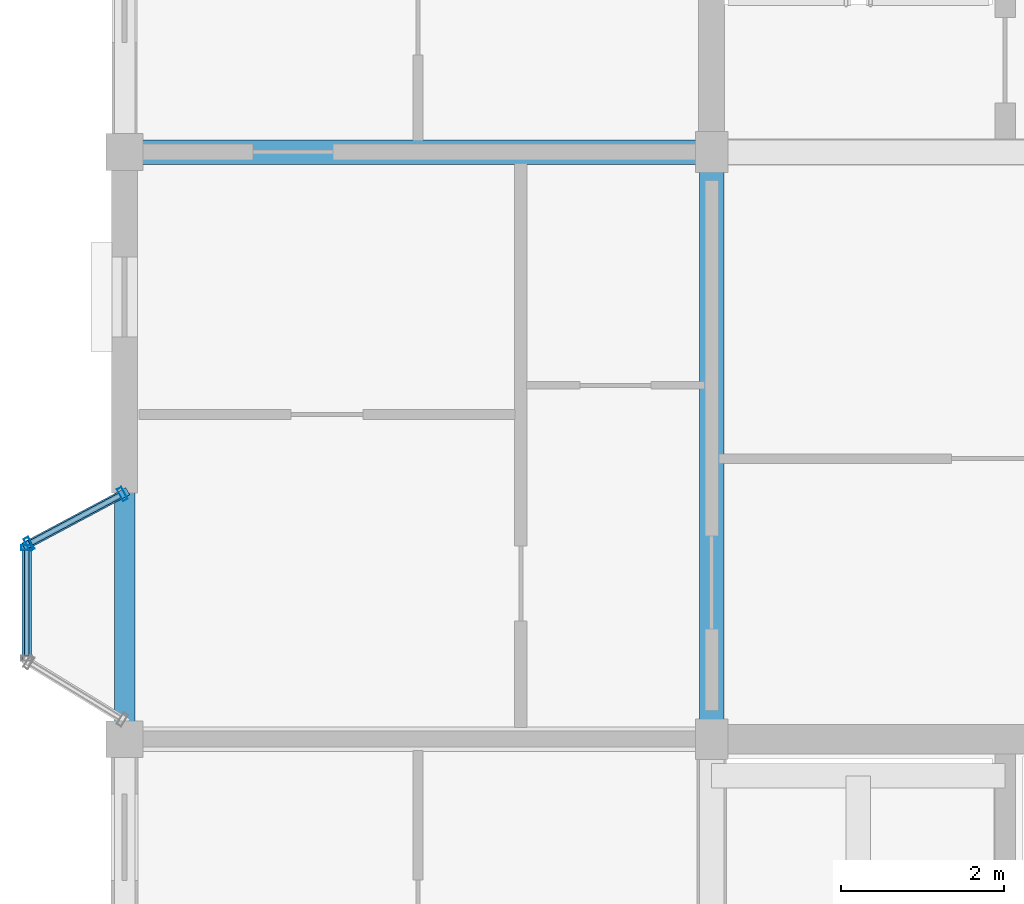
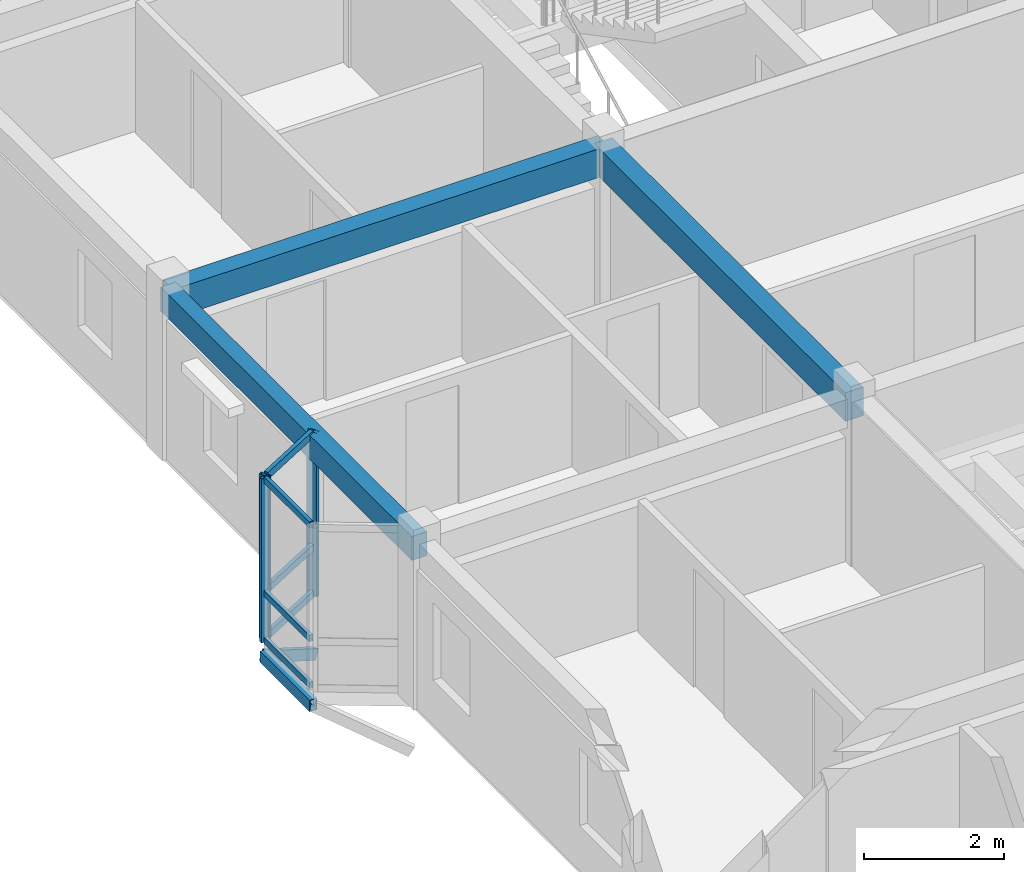
# One storey, part 8 of 23: 11 members, 3 beams, 2 elements without a shape of their own.
"""IFC4 building model written with IfcOpenShell, lengths in metres."""

import ifcopenshell
import ifcopenshell.guid

model = None  # the IFC model being written
_history = None  # IfcOwnerHistory: only IFC2X3 demands one
_inside = {}  # id of a spatial element -> (the spatial element, [elements in it])
_under = {}  # id of a project, library or spatial element -> (it, [spatial elements below it])
_declared = {}  # id of a project -> (the project, [libraries it declares])
_typed = {}  # id of a type object -> (the type object, [elements of that type])
_made_of = {}  # id of a material, layer set ... -> (it, [elements and type objects made of it])


def new_model(schema):
    """Start an empty IFC model of exactly this schema.

    Asked for "IFC4X3", IfcOpenShell would pick the latest addendum, in which some entities
    have other attributes; the version numbers below select the first issue.
    IFC2X3 requires an IfcOwnerHistory on every rooted entity: one is made here for all.
    """
    global model, _history
    if schema == "IFC4X3":
        model = ifcopenshell.file(schema_version=(4, 3, 0, 0))
    else:
        model = ifcopenshell.file(schema=schema)
    _inside.clear()
    _under.clear()
    _declared.clear()
    _typed.clear()
    _made_of.clear()
    _history = None
    if model.schema == "IFC2X3":
        org = make("IfcOrganization", Name="unknown")
        user = make(
            "IfcPersonAndOrganization",
            ThePerson=make("IfcPerson", FamilyName="unknown"),
            TheOrganization=org,
        )
        app = make(
            "IfcApplication",
            ApplicationDeveloper=org,
            Version="unknown",
            ApplicationFullName="unknown",
            ApplicationIdentifier="unknown",
        )
        _history = make(
            "IfcOwnerHistory",
            OwningUser=user,
            OwningApplication=app,
            ChangeAction="ADDED",
            CreationDate=0,
        )
    return model


def make(cls, **values):
    """One entity of the class cls with the attributes given. An attribute that is None is left unset."""
    return model.create_entity(
        cls, **{name: value for name, value in values.items() if value is not None}
    )


def rooted(cls, **values):
    """An entity with a GlobalId (a new one), such as an element, a storey or a relation."""
    return make(cls, GlobalId=ifcopenshell.guid.new(), OwnerHistory=_history, **values)


def si_unit(unit_type, name, prefix=None):
    """IfcSIUnit, for example si_unit("LENGTHUNIT", "METRE", prefix="MILLI")."""
    return make("IfcSIUnit", UnitType=unit_type, Prefix=prefix, Name=name)


def assignment(units):
    """IfcUnitAssignment: the units of a project."""
    return None if units is None else make("IfcUnitAssignment", Units=units)


def point(xyz):
    """IfcCartesianPoint."""
    return None if xyz is None else make("IfcCartesianPoint", Coordinates=xyz)


def direction(xyz):
    """IfcDirection."""
    return None if xyz is None else make("IfcDirection", DirectionRatios=xyz)


def frame(location, z_axis=None, x_axis=None):
    """IfcAxis2Placement3D, a coordinate frame: its origin and axes. An axis left out is left unset."""
    return make(
        "IfcAxis2Placement3D",
        Location=point(location),
        Axis=direction(z_axis),
        RefDirection=direction(x_axis),
    )


def frame_2d(location, x_axis=None):
    """IfcAxis2Placement2D, a coordinate frame in the plane: its origin and x axis."""
    return make(
        "IfcAxis2Placement2D", Location=point(location), RefDirection=direction(x_axis)
    )


def origin():
    """The frame at (0, 0, 0) with its axes left unset."""
    return frame((0.0, 0.0, 0.0))


def origin_2d():
    """The frame at (0, 0) in the plane with its x axis left unset."""
    return frame_2d((0.0, 0.0))


def place(relative_to, where):
    """IfcLocalPlacement: puts the frame where relative to a parent placement (None: the world)."""
    return make(
        "IfcLocalPlacement", PlacementRelTo=relative_to, RelativePlacement=where
    )


def context(
    kind, dimensions, precision=None, world=None, true_north=None, identifier=None
):
    """IfcGeometricRepresentationContext, for example the 3D "Model" context."""
    return make(
        "IfcGeometricRepresentationContext",
        ContextIdentifier=identifier,
        ContextType=kind,
        CoordinateSpaceDimension=dimensions,
        Precision=precision,
        WorldCoordinateSystem=world,
        TrueNorth=true_north,
    )


def subcontext(parent, identifier, kind, view, scale=None):
    """IfcGeometricRepresentationSubContext, for example "Body" below "Model"."""
    return make(
        "IfcGeometricRepresentationSubContext",
        ContextIdentifier=identifier,
        ContextType=kind,
        ParentContext=parent,
        TargetScale=scale,
        TargetView=view,
    )


def project(units=None, contexts=None):
    """IfcProject with its units and contexts."""
    return rooted(
        "IfcProject",
        Name="project",
        RepresentationContexts=contexts,
        UnitsInContext=assignment(units),
    )


def spatial(cls, under=None, at=None, **own):
    """A site, building, storey or space (cls), placed at a placement, below another one or the project."""
    s = rooted(cls, ObjectPlacement=at, **own)
    if under is not None:
        _under.setdefault(under.id(), (under, []))[1].append(s)
    return s


def profile(cls, at=None, kind="AREA", **sizes):
    """A parametric profile (cls). Its sizes go by their IFC names, for example OverallWidth=200.0."""
    return make(cls, ProfileType=kind, Position=at, **sizes)


def rectangle(**sizes):
    """IfcRectangleProfileDef."""
    return profile("IfcRectangleProfileDef", **sizes)


def hollow_rectangle(**sizes):
    """IfcRectangleHollowProfileDef."""
    return profile("IfcRectangleHollowProfileDef", **sizes)


def extrude(swept, where, along, depth):
    """IfcExtrudedAreaSolid: the profile swept, set in the frame where, extruded along a direction by depth."""
    return make(
        "IfcExtrudedAreaSolid",
        SweptArea=swept,
        Position=where,
        ExtrudedDirection=direction(along),
        Depth=depth,
    )


def shape(context_of_items, identifier, shape_type, items):
    """IfcShapeRepresentation: the items that make up one representation, for example the "Body"."""
    return make(
        "IfcShapeRepresentation",
        ContextOfItems=context_of_items,
        RepresentationIdentifier=identifier,
        RepresentationType=shape_type,
        Items=items,
    )


def material(Name=None, Category=None):
    """IfcMaterial."""
    return make("IfcMaterial", Name=Name, Category=Category)


def layer(
    of_material, thickness, ventilated=None, Name=None, Category=None, Priority=None
):
    """IfcMaterialLayer: one layer of a wall or slab, of a material (None: an air gap)."""
    return make(
        "IfcMaterialLayer",
        Material=of_material,
        LayerThickness=thickness,
        IsVentilated=ventilated,
        Name=Name,
        Category=Category,
        Priority=Priority,
    )


def layer_set(layers, Name=None):
    """IfcMaterialLayerSet."""
    return make("IfcMaterialLayerSet", MaterialLayers=layers, LayerSetName=Name)


def material_profile(
    of_material, cross_section, Name=None, Category=None, Priority=None
):
    """IfcMaterialProfile: a cross section and its material."""
    return make(
        "IfcMaterialProfile",
        Name=Name,
        Material=of_material,
        Profile=cross_section,
        Priority=Priority,
        Category=Category,
    )


def profile_set(profiles, Name=None, composite=None):
    """IfcMaterialProfileSet."""
    return make(
        "IfcMaterialProfileSet",
        Name=Name,
        MaterialProfiles=profiles,
        CompositeProfile=composite,
    )


def made_of(thing, what):
    """Note that an element or type object is made of a material, layer set ...; save() writes the relation."""
    if what is not None:
        _made_of.setdefault(what.id(), (what, []))[1].append(thing)
    return thing


def type_object(cls, material=None, **own):
    """A type object (cls), such as IfcWallType, which elements share."""
    return made_of(rooted(cls, **own), material)


def element(
    cls,
    number,
    at=None,
    inside=None,
    cuts=None,
    type_object=None,
    material=None,
    context=None,
    identifier="Body",
    shape_type=None,
    held_by="IfcProductDefinitionShape",
    body=None,
    shapes=None,
    **own,
):
    """One element of the class cls, such as IfcWall. Its Tag is "e" and its number.

    at: its placement. inside: the storey or other place that contains it. cuts: it is an
    opening in that element (IfcRelVoidsElement). A single representation is given by context,
    identifier, shape_type and body (its items); several are given by shapes. held_by: the class
    of the entity that holds the representations. save() writes the other relations.
    """
    e = rooted(cls, Tag="e%d" % number, ObjectPlacement=at, **own)
    if body is not None:
        shapes = [shape(context, identifier, shape_type, body)]
    if shapes is not None:
        e.Representation = make(held_by, Representations=shapes)
    if inside is not None:
        _inside.setdefault(inside.id(), (inside, []))[1].append(e)
    if cuts is not None:
        rooted(
            "IfcRelVoidsElement", RelatingBuildingElement=cuts, RelatedOpeningElement=e
        )
    if type_object is not None:
        _typed.setdefault(type_object.id(), (type_object, []))[1].append(e)
    return made_of(e, material)


def aggregate(whole, parts):
    """IfcRelAggregates: a whole, such as a stair, and the parts it consists of."""
    return rooted("IfcRelAggregates", RelatingObject=whole, RelatedObjects=parts)


def save(model, path):
    """Write the relations noted so far, then the file.

    IfcRelAggregates (storeys below a building ...), IfcRelContainedInSpatialStructure (elements
    in a storey), IfcRelDefinesByType, IfcRelAssociatesMaterial and IfcRelDeclares: one each for
    every whole, place, type object, material and project.
    """
    for whole, parts in _under.values():
        aggregate(whole, parts)
    for where, things in _inside.values():
        rooted(
            "IfcRelContainedInSpatialStructure",
            RelatedElements=things,
            RelatingStructure=where,
        )
    for kind, things in _typed.values():
        rooted("IfcRelDefinesByType", RelatedObjects=things, RelatingType=kind)
    for what, things in _made_of.values():
        rooted("IfcRelAssociatesMaterial", RelatedObjects=things, RelatingMaterial=what)
    for by, libraries in _declared.values():
        rooted("IfcRelDeclares", RelatingContext=by, RelatedDefinitions=libraries)
    model.write(path)


model = new_model("IFC4")

# Units and contexts
model_context = context("Model", 3, precision=1e-05, world=origin(), true_north=direction((0.0, 1.0)))
body_context = subcontext(model_context, "Body", "Model", "MODEL_VIEW")
ifc_project = project(units=[si_unit("LENGTHUNIT", "METRE"), si_unit("AREAUNIT", "SQUARE_METRE"), si_unit("VOLUMEUNIT", "CUBIC_METRE"), si_unit("PLANEANGLEUNIT", "RADIAN"), si_unit("MASSUNIT", "GRAM", prefix="KILO"), si_unit("THERMODYNAMICTEMPERATUREUNIT", "KELVIN"), si_unit("POWERUNIT", "WATT")], contexts=[model_context])

# Site, building, storey
site_placement = place(None, origin())
site = spatial("IfcSite", under=ifc_project, at=site_placement, CompositionType="ELEMENT")
building_placement = place(site_placement, origin())
building = spatial("IfcBuilding", under=site, at=building_placement, Name="Tavuni Mirador Residences", CompositionType="ELEMENT")
storey_placement = place(building_placement, frame((0.0, 0.0, 42.300048828125)))
storey = spatial("IfcBuildingStorey", under=building, at=storey_placement, Name="L13", CompositionType="ELEMENT", Elevation=42.300048828125)

# Beams
ifc_material_1 = material(Name="Precast concrete C40/50", Category="concrete")
ifc_material_profile_1 = material_profile(ifc_material_1, rectangle(XDim=0.300048828125, YDim=0.5, at=origin_2d()), Name="PC 300x500", Category="concrete")
ifc_profile_set_1 = profile_set([ifc_material_profile_1], Name="Precast concrete C40/50")
beam_type_1 = type_object("IfcBeamType", Name="BT-B500", PredefinedType="BEAM", material=ifc_profile_set_1)
for number, where, z_axis, x_axis, name in (
    (1, (3.60009765625, 28.800048828125, 2.619873046875), (1.0, 0.0, 0.0), (0.0, 1.0, 0.0), "BMX-BLK-A-L13-00-03"),
    (2, (10.800048828125, 21.60009765625, 2.619873046875), (0.0, 1.0, 0.0), (-1.0, 0.0, 0.0), "BMY-BLK-A-L13-01-02"),
):
    element("IfcBeam", number, at=place(storey_placement, frame(where, z_axis=z_axis, x_axis=x_axis)), inside=storey, type_object=beam_type_1, Name=name, PredefinedType="BEAM", context=body_context, shape_type="SweptSolid", body=[
        extrude(rectangle(XDim=0.300048828125, YDim=0.5, at=origin_2d()), origin(), (0.0, 0.0, 1.0), 7.199951171875),
    ])
ifc_material_profile_2 = material_profile(ifc_material_1, rectangle(XDim=0.25, YDim=0.419921875, at=origin_2d()), Name="PC 250x420", Category="concrete")
ifc_profile_set_2 = profile_set([ifc_material_profile_2], Name="Precast concrete C40/50")
beam_type_2 = type_object("IfcBeamType", Name="BT-SP420", PredefinedType="SPANDREL", material=ifc_profile_set_2)
beam_placement = place(storey_placement, frame((3.60009765625, 21.60009765625, 2.659912109375), z_axis=(0.0, 1.0, 0.0), x_axis=(-1.0, 0.0, 0.0)))
element("IfcBeam", 3, at=beam_placement, inside=storey, type_object=beam_type_2, Name="BMY-BLK-A-L13-00-02", PredefinedType="SPANDREL", context=body_context, shape_type="SweptSolid", body=[
    extrude(rectangle(XDim=0.25, YDim=0.419921875, at=origin_2d()), origin(), (0.0, 0.0, 1.0), 7.199951171875),
])

# Curtain wall, member
ifc_material_2 = material(Name="Anodised aluminium", Category="aluminium")
ifc_layer_1 = layer(ifc_material_2, 0.175048828125, Name="Anodised aluminium", Category="aluminium")
ifc_layer_set_1 = layer_set([ifc_layer_1], Name="Anodised aluminium")
curtain_wall_type_1 = type_object("IfcCurtainWallType", Name="CWT-MIR-C", PredefinedType="NOTDEFINED", material=ifc_layer_set_1)
curtain_wall_1_placement = place(storey_placement, origin())
curtain_wall_1 = element("IfcCurtainWall", 4, at=curtain_wall_1_placement, inside=storey, type_object=curtain_wall_type_1, Name="CW-MIR-A-W2-L13-MF", PredefinedType="NOTDEFINED")
ifc_material_profile_3 = material_profile(ifc_material_2, hollow_rectangle(XDim=0.06005859375, YDim=0.139892578125, WallThickness=0.00390625, at=origin_2d()), Name="ALU 60x140x4.0", Category="aluminium")
ifc_profile_set_3 = profile_set([ifc_material_profile_3], Name="Anodised aluminium")
member_type_1 = type_object("IfcMemberType", Name="CWM-140", PredefinedType="MULLION", material=ifc_profile_set_3)
member_1_placement = place(storey_placement, frame((2.39990234375, 23.949951171875, 0.0), z_axis=(0.0, 0.0, 1.0), x_axis=(0.0, -1.0, 0.0)))
member_1 = element("IfcMember", 5, at=member_1_placement, type_object=member_type_1, Name="CW-03 mullion 1", PredefinedType="MULLION", context=body_context, shape_type="SweptSolid", body=[
    extrude(hollow_rectangle(XDim=0.06005859375, YDim=0.139892578125, WallThickness=0.00390625, at=origin_2d()), origin(), (0.0, 0.0, 1.0), 2.869873046875),
])

# Curtain wall, members
ifc_layer_2 = layer(ifc_material_2, 0.14990234375, Name="Anodised aluminium", Category="aluminium")
ifc_layer_set_2 = layer_set([ifc_layer_2], Name="Anodised aluminium")
curtain_wall_type_2 = type_object("IfcCurtainWallType", Name="CWT-MIR-B", PredefinedType="NOTDEFINED", material=ifc_layer_set_2)
curtain_wall_2_placement = place(storey_placement, origin())
curtain_wall_2 = element("IfcCurtainWall", 6, at=curtain_wall_2_placement, inside=storey, type_object=curtain_wall_type_2, Name="CW-MIR-A-W2-L13-M1", PredefinedType="NOTDEFINED")
ifc_material_profile_4 = material_profile(ifc_material_2, hollow_rectangle(XDim=0.06494140625, YDim=0.1650390625, WallThickness=0.00439453125, at=origin_2d()), Name="ALU 65x165x4.5", Category="aluminium")
ifc_profile_set_4 = profile_set([ifc_material_profile_4], Name="Anodised aluminium")
member_type_2 = type_object("IfcMemberType", Name="CWM-165", PredefinedType="MULLION", material=ifc_profile_set_4)
member_2_placement = place(storey_placement, frame((3.5712890625, 24.604736328125, 0.0), z_axis=(0.0, 0.0, 1.0), x_axis=(-0.882352941175, -0.470588235296, 0.0)))
member_2 = element("IfcMember", 7, at=member_2_placement, type_object=member_type_2, Name="CW-02 mullion 1", PredefinedType="MULLION", context=body_context, shape_type="SweptSolid", body=[
    extrude(hollow_rectangle(XDim=0.06494140625, YDim=0.1650390625, WallThickness=0.00439453125, at=origin_2d()), origin(), (0.0, 0.0, 1.0), 2.869873046875),
])
member_3_placement = place(storey_placement, frame((2.4287109375, 23.995361328125, 0.0), z_axis=(0.0, 0.0, 1.0), x_axis=(-0.882352941175, -0.470588235296, 0.0)))
member_3 = element("IfcMember", 8, at=member_3_placement, type_object=member_type_2, Name="CW-02 mullion 2", PredefinedType="MULLION", context=body_context, shape_type="SweptSolid", body=[
    extrude(hollow_rectangle(XDim=0.06494140625, YDim=0.1650390625, WallThickness=0.00439453125, at=origin_2d()), origin(), (0.0, 0.0, 1.0), 2.869873046875),
])

# Member
ifc_material_profile_5 = material_profile(ifc_material_2, hollow_rectangle(XDim=0.06005859375, YDim=0.110107421875, WallThickness=0.00390625, at=origin_2d()), Name="ALU 60x110x4.0", Category="aluminium")
ifc_profile_set_5 = profile_set([ifc_material_profile_5], Name="Anodised aluminium")
member_type_3 = type_object("IfcMemberType", Name="CWT-110", PredefinedType="USERDEFINED", material=ifc_profile_set_5)
member_4_placement = place(storey_placement, frame((2.39990234375, 23.919921875, 0.030029296875), z_axis=(0.0, -1.0, 0.0), x_axis=(1.0, 0.0, 0.0)))
member_4 = element("IfcMember", 9, at=member_4_placement, type_object=member_type_3, Name="CW-03 transom 1.1", ObjectType="TRANSOM", PredefinedType="USERDEFINED", context=body_context, shape_type="SweptSolid", body=[
    extrude(hollow_rectangle(XDim=0.06005859375, YDim=0.110107421875, WallThickness=0.00390625, at=origin_2d()), origin(), (0.0, 0.0, 1.0), 1.2998046875),
])

member_5_placement = place(storey_placement, frame((2.39990234375, 23.919921875, 0.849853515625), z_axis=(0.0, -1.0, 0.0), x_axis=(1.0, 0.0, 0.0)))
member_5 = element("IfcMember", 10, at=member_5_placement, type_object=member_type_3, Name="CW-03 transom 1.2", ObjectType="TRANSOM", PredefinedType="USERDEFINED", context=body_context, shape_type="SweptSolid", body=[
    extrude(hollow_rectangle(XDim=0.06005859375, YDim=0.110107421875, WallThickness=0.00390625, at=origin_2d()), origin(), (0.0, 0.0, 1.0), 1.2998046875),
])

member_6_placement = place(storey_placement, frame((2.39990234375, 23.919921875, 2.83984375), z_axis=(0.0, -1.0, 0.0), x_axis=(1.0, 0.0, 0.0)))
member_6 = element("IfcMember", 11, at=member_6_placement, type_object=member_type_3, Name="CW-03 transom 1.3", ObjectType="TRANSOM", PredefinedType="USERDEFINED", context=body_context, shape_type="SweptSolid", body=[
    extrude(hollow_rectangle(XDim=0.06005859375, YDim=0.110107421875, WallThickness=0.00390625, at=origin_2d()), origin(), (0.0, 0.0, 1.0), 1.2998046875),
])

aggregate(curtain_wall_1, [member_1, member_4, member_5, member_6])

ifc_material_profile_6 = material_profile(ifc_material_2, hollow_rectangle(XDim=0.06494140625, YDim=0.125, WallThickness=0.00439453125, at=origin_2d()), Name="ALU 65x125x4.5", Category="aluminium")
ifc_profile_set_6 = profile_set([ifc_material_profile_6], Name="Anodised aluminium")
member_type_4 = type_object("IfcMemberType", Name="CWT-125", PredefinedType="USERDEFINED", material=ifc_profile_set_6)
member_7_placement = place(storey_placement, frame((3.542724609375, 24.58935546875, 0.032470703125), z_axis=(-0.882369422046, -0.47055733236, 0.0), x_axis=(0.47055733236, -0.882369422046, 0.0)))
member_7 = element("IfcMember", 12, at=member_7_placement, type_object=member_type_4, Name="CW-02 transom 1.1", ObjectType="TRANSOM", PredefinedType="USERDEFINED", context=body_context, shape_type="SweptSolid", body=[
    extrude(hollow_rectangle(XDim=0.06494140625, YDim=0.125, WallThickness=0.00439453125, at=origin_2d()), origin(), (0.0, 0.0, 1.0), 1.230224609375),
])

member_8_placement = place(storey_placement, frame((3.542724609375, 24.58935546875, 0.849853515625), z_axis=(-0.882369422046, -0.47055733236, 0.0), x_axis=(0.47055733236, -0.882369422046, 0.0)))
member_8 = element("IfcMember", 13, at=member_8_placement, type_object=member_type_4, Name="CW-02 transom 1.2", ObjectType="TRANSOM", PredefinedType="USERDEFINED", context=body_context, shape_type="SweptSolid", body=[
    extrude(hollow_rectangle(XDim=0.06494140625, YDim=0.125, WallThickness=0.00439453125, at=origin_2d()), origin(), (0.0, 0.0, 1.0), 1.230224609375),
])

member_9_placement = place(storey_placement, frame((3.542724609375, 24.58935546875, 2.83740234375), z_axis=(-0.882369422046, -0.47055733236, 0.0), x_axis=(0.47055733236, -0.882369422046, 0.0)))
member_9 = element("IfcMember", 14, at=member_9_placement, type_object=member_type_4, Name="CW-02 transom 1.3", ObjectType="TRANSOM", PredefinedType="USERDEFINED", context=body_context, shape_type="SweptSolid", body=[
    extrude(hollow_rectangle(XDim=0.06494140625, YDim=0.125, WallThickness=0.00439453125, at=origin_2d()), origin(), (0.0, 0.0, 1.0), 1.230224609375),
])

aggregate(curtain_wall_2, [member_2, member_3, member_7, member_8, member_9])

# Members
ifc_material_3 = material(Name="Structural steel S355", Category="steel")
ifc_material_profile_7 = material_profile(ifc_material_3, hollow_rectangle(XDim=0.10009765625, YDim=0.179931640625, WallThickness=0.008056640625, at=origin_2d()), Name="RHS 180x100x8.0", Category="steel")
ifc_profile_set_7 = profile_set([ifc_material_profile_7], Name="Structural steel S355")
member_type_5 = type_object("IfcMemberType", Name="MT-BR-RHS180", PredefinedType="BRACE", material=ifc_profile_set_7)
member_10_placement = place(storey_placement, frame((3.60009765625, 24.6201171875, -1.050048828125), z_axis=(-0.767847080655, -0.409539268811, 0.492634192918), x_axis=(0.470606866739, -0.882343004153, 0.0)))
element("IfcMember", 15, at=member_10_placement, inside=storey, type_object=member_type_5, Name="MBRK-MIR-A-W2-L13-2", PredefinedType="BRACE", context=body_context, shape_type="SweptSolid", body=[
    extrude(hollow_rectangle(XDim=0.10009765625, YDim=0.179931640625, WallThickness=0.008056640625, at=origin_2d()), origin(), (0.0, 0.0, 1.0), 1.56298828125),
])
ifc_material_profile_8 = material_profile(ifc_material_3, hollow_rectangle(XDim=0.1201171875, YDim=0.199951171875, WallThickness=0.010009765625, at=origin_2d()), Name="RHS 200x120x10.0", Category="steel")
ifc_profile_set_8 = profile_set([ifc_material_profile_8], Name="Structural steel S355")
member_type_6 = type_object("IfcMemberType", Name="MT-ST-RHS200", PredefinedType="STRUT", material=ifc_profile_set_8)
member_11_placement = place(storey_placement, frame((2.39990234375, 22.56005859375, -0.280029296875), z_axis=(0.0, 1.0, 0.0), x_axis=(-1.0, 0.0, 0.0)))
element("IfcMember", 16, at=member_11_placement, inside=storey, type_object=member_type_6, Name="MRIM-MIR-A-W2-L13", PredefinedType="STRUT", context=body_context, shape_type="SweptSolid", body=[
    extrude(hollow_rectangle(XDim=0.1201171875, YDim=0.199951171875, WallThickness=0.010009765625, at=origin_2d()), origin(), (0.0, 0.0, 1.0), 1.419921875),
])

save(model, "model.ifc")
